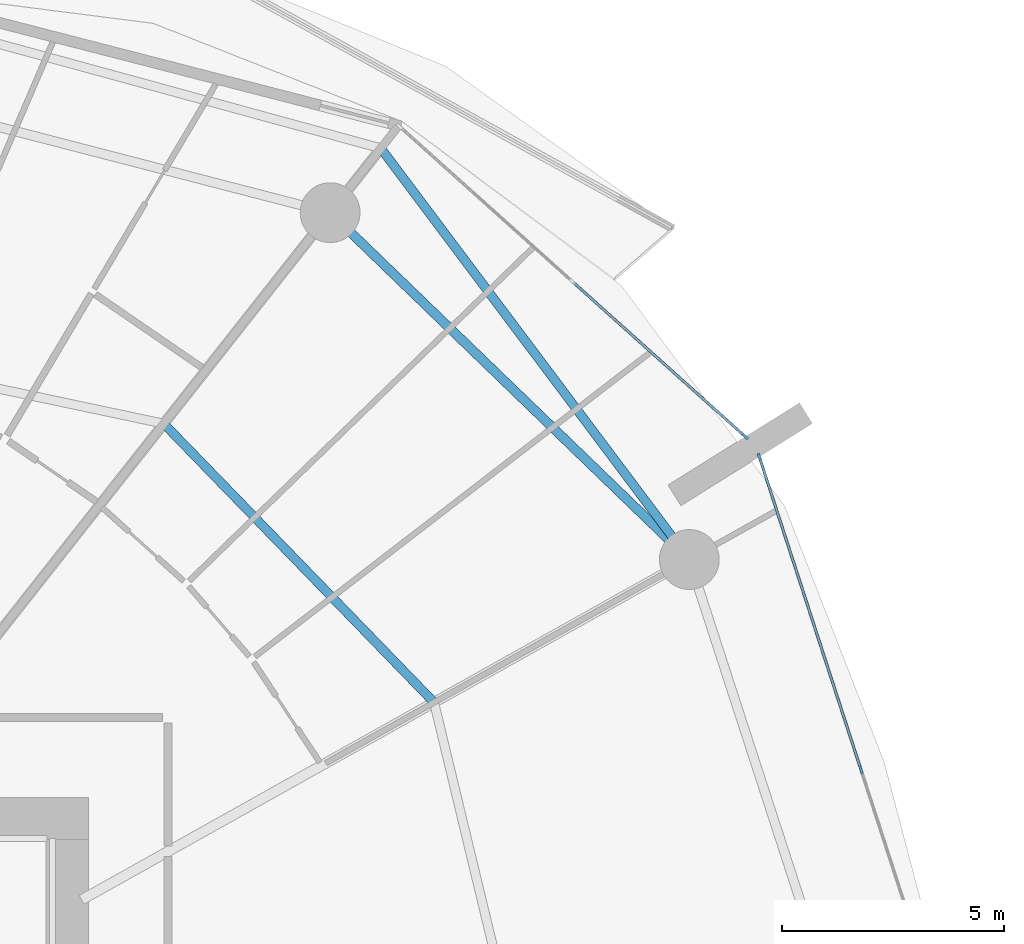
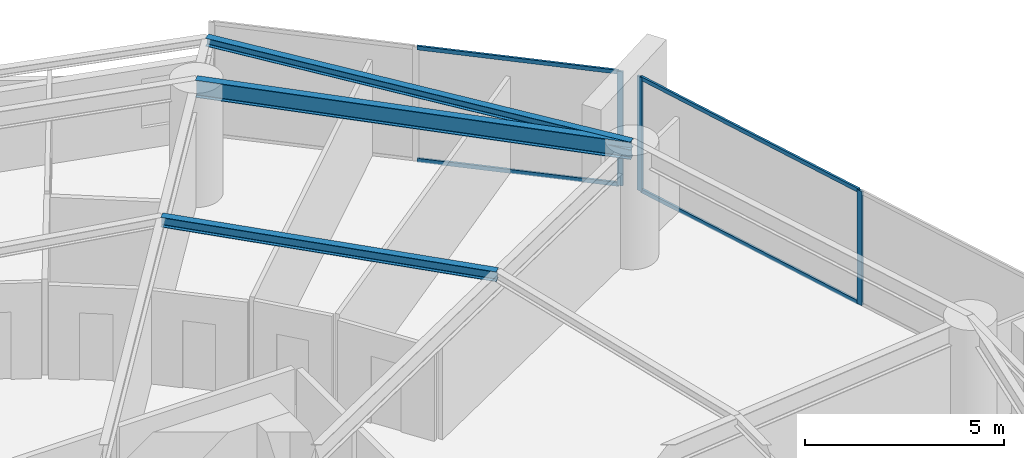
# One storey, part 15 of 30: 7 members, 3 beams, 2 elements without a shape of their own.
"""IFC4 building model written with IfcOpenShell, lengths in metres."""

from ifc_helpers import new_model, si_unit, direction, frame, origin, origin_2d, place, context, subcontext, project, spatial, rectangle, i_section, extrude, material, layer, layer_set, material_profile, profile_set, type_object, element, aggregate, save


model = new_model("IFC4")

# Units and contexts
model_context = context("Model", 3, precision=1e-05, world=origin(), true_north=direction((0.0, 1.0)))
body_context = subcontext(model_context, "Body", "Model", "MODEL_VIEW")
ifc_project = project(units=[si_unit("LENGTHUNIT", "METRE"), si_unit("AREAUNIT", "SQUARE_METRE"), si_unit("VOLUMEUNIT", "CUBIC_METRE"), si_unit("PLANEANGLEUNIT", "RADIAN"), si_unit("MASSUNIT", "GRAM", prefix="KILO")], contexts=[model_context])

# Site, building, storey
site_placement = place(None, origin())
site = spatial("IfcSite", under=ifc_project, at=site_placement, CompositionType="ELEMENT")
building_placement = place(site_placement, origin())
building = spatial("IfcBuilding", under=site, at=building_placement, Name="Kazma Halo Residences", CompositionType="ELEMENT")
storey_placement = place(building_placement, frame((0.0, 0.0, 56.39990234375)))
storey = spatial("IfcBuildingStorey", under=building, at=storey_placement, Name="L13", CompositionType="ELEMENT", Elevation=56.39990234375)

# Beams
ifc_material_1 = material(Name="Steel S355", Category="steel")
ifc_material_profile_1 = material_profile(ifc_material_1, i_section(OverallWidth=0.201904296875, OverallDepth=0.2470703125, WebThickness=0.00732421875, FlangeThickness=0.010986328125, FilletRadius=0.011962890625, at=origin_2d()), Name="W250x49.1")
ifc_profile_set_1 = profile_set([ifc_material_profile_1], Name="Steel S355")
beam_type_1 = type_object("IfcBeamType", Name="BM-BAL-CANT", PredefinedType="BEAM", material=ifc_profile_set_1)
beam_1_placement = place(storey_placement, frame((73.56494140625, 56.317138671875, 3.376708984375), z_axis=(-0.600026935007, 0.799979798037, 0.0), x_axis=(-0.799979798037, -0.600026935007, 0.0)))
element("IfcBeam", 1, at=beam_1_placement, inside=storey, type_object=beam_type_1, Name="L13 wave-balcony lead tie beam 01", PredefinedType="BEAM", context=body_context, shape_type="SweptSolid", body=[
    extrude(i_section(OverallWidth=0.201904296875, OverallDepth=0.2470703125, WebThickness=0.00732421875, FlangeThickness=0.010986328125, FilletRadius=0.011962890625, at=origin_2d()), origin(), (0.0, 0.0, 1.0), 11.601806640625),
])
ifc_material_profile_2 = material_profile(ifc_material_1, i_section(OverallWidth=0.202880859375, OverallDepth=0.302978515625, WebThickness=0.007568359375, FlangeThickness=0.01318359375, FilletRadius=0.013916015625, at=origin_2d()), Name="W310x60")
ifc_profile_set_2 = profile_set([ifc_material_profile_2], Name="Steel S355")
beam_type_2 = type_object("IfcBeamType", Name="BM-SEC-W310A", PredefinedType="JOIST", material=ifc_profile_set_2)
beam_2_placement = place(storey_placement, frame((67.8046875, 53.09130859375, 3.3486328125), z_axis=(-0.696130608567, 0.717915159205, 0.0), x_axis=(-0.717915159205, -0.696130608567, 0.0)))
element("IfcBeam", 2, at=beam_2_placement, inside=storey, type_object=beam_type_2, Name="L13 circumferential floor joist 01", PredefinedType="JOIST", context=body_context, shape_type="SweptSolid", body=[
    extrude(i_section(OverallWidth=0.202880859375, OverallDepth=0.302978515625, WebThickness=0.007568359375, FlangeThickness=0.01318359375, FilletRadius=0.013916015625, at=origin_2d()), origin(), (0.0, 0.0, 1.0), 8.763916015625),
])
ifc_material_profile_3 = material_profile(ifc_material_1, i_section(OverallWidth=0.208984375, OverallDepth=0.532958984375, WebThickness=0.01025390625, FlangeThickness=0.015625, FilletRadius=0.01611328125, at=origin_2d()), Name="W530x92")
ifc_profile_set_3 = profile_set([ifc_material_profile_3], Name="Steel S355")
beam_type_3 = type_object("IfcBeamType", Name="BM-SPN-W530", PredefinedType="BEAM", material=ifc_profile_set_3)
beam_3_placement = place(storey_placement, frame((73.56494140625, 56.317138671875, 3.233642578125), z_axis=(-0.719336506967, 0.694661780829, 0.0), x_axis=(-0.694661780829, -0.719336506967, 0.0)))
element("IfcBeam", 3, at=beam_3_placement, inside=storey, type_object=beam_type_3, Name="L13 perimeter ring beam 01", PredefinedType="BEAM", context=body_context, shape_type="SweptSolid", body=[
    extrude(i_section(OverallWidth=0.208984375, OverallDepth=0.532958984375, WebThickness=0.01025390625, FlangeThickness=0.015625, FilletRadius=0.01611328125, at=origin_2d()), origin(), (0.0, 0.0, 1.0), 11.269775390625),
])

# Curtain wall, member
ifc_material_2 = material(Name="Aluminium AW-6063 T6 and Triple-Silver Low-E Glass", Category="aluminium")
ifc_layer = layer(ifc_material_2, 0.159912109375)
ifc_layer_set = layer_set([ifc_layer], Name="Aluminium AW-6063 T6 and Triple-Silver Low-E Glass")
curtain_wall_type = type_object("IfcCurtainWallType", Name="CW-SYS-2", PredefinedType="NOTDEFINED", material=ifc_layer_set)
curtain_wall_1_placement = place(storey_placement, origin())
curtain_wall_1 = element("IfcCurtainWall", 4, at=curtain_wall_1_placement, inside=storey, type_object=curtain_wall_type, Name="L13 unitised curtain wall B01", PredefinedType="NOTDEFINED")
ifc_material_3 = material(Name="Aluminium AW-6063 T6", Category="aluminium")
ifc_material_profile_4 = material_profile(ifc_material_3, rectangle(XDim=0.06005859375, YDim=0.159912109375, at=origin_2d()), Name="CWM-60x160")
ifc_profile_set_4 = profile_set([ifc_material_profile_4], Name="Aluminium AW-6063 T6")
member_type_1 = type_object("IfcMemberType", Name="CW-SYS-2-MUL", PredefinedType="MULLION", material=ifc_profile_set_4)
member_1_placement = place(storey_placement, frame((74.82666015625, 59.091796875, 0.0), z_axis=(0.0, 0.0, 1.0), x_axis=(-0.667821453854, -0.744321506993, 0.0)))
member_1 = element("IfcMember", 5, at=member_1_placement, type_object=member_type_1, Name="CWS-2 mullion 1", PredefinedType="MULLION", context=body_context, shape_type="SweptSolid", body=[
    extrude(rectangle(XDim=0.06005859375, YDim=0.159912109375, at=origin_2d()), origin(), (0.0, 0.0, 1.0), 3.5),
])

# Curtain wall, members
curtain_wall_2_placement = place(storey_placement, origin())
curtain_wall_2 = element("IfcCurtainWall", 6, at=curtain_wall_2_placement, inside=storey, type_object=curtain_wall_type, Name="L13 unitised curtain wall B16", PredefinedType="NOTDEFINED")
member_2_placement = place(storey_placement, frame((77.44189453125, 51.56640625, 0.0), z_axis=(0.0, 0.0, 1.0), x_axis=(-0.95105652404, -0.309016970539, 0.0)))
member_2 = element("IfcMember", 7, at=member_2_placement, type_object=member_type_1, Name="CWS-2 mullion 2", PredefinedType="MULLION", context=body_context, shape_type="SweptSolid", body=[
    extrude(rectangle(XDim=0.06005859375, YDim=0.159912109375, at=origin_2d()), origin(), (0.0, 0.0, 1.0), 3.5),
])
member_3_placement = place(storey_placement, frame((75.145751953125, 58.63330078125, 0.0), z_axis=(0.0, 0.0, 1.0), x_axis=(-0.95105652404, -0.309016970539, 0.0)))
member_3 = element("IfcMember", 8, at=member_3_placement, type_object=member_type_1, Name="CWS-2 mullion 3", PredefinedType="MULLION", context=body_context, shape_type="SweptSolid", body=[
    extrude(rectangle(XDim=0.06005859375, YDim=0.159912109375, at=origin_2d()), origin(), (0.0, 0.0, 1.0), 3.5),
])

# Member
ifc_material_profile_5 = material_profile(ifc_material_3, rectangle(XDim=0.06005859375, YDim=0.1201171875, at=origin_2d()), Name="CWT-60x120")
ifc_profile_set_5 = profile_set([ifc_material_profile_5], Name="Aluminium AW-6063 T6")
member_type_2 = type_object("IfcMemberType", Name="CW-SYS-2-TRN", PredefinedType="USERDEFINED", material=ifc_profile_set_5)
member_4_placement = place(storey_placement, frame((74.80419921875, 59.11181640625, 0.030029296875), z_axis=(-0.744329408538, 0.66781264707, 0.0), x_axis=(-0.66781264707, -0.744329408538, 0.0)))
member_4 = element("IfcMember", 9, at=member_4_placement, type_object=member_type_2, Name="CWS-2 transom 1.1", ObjectType="TRANSOM", PredefinedType="USERDEFINED", context=body_context, shape_type="SweptSolid", body=[
    extrude(rectangle(XDim=0.06005859375, YDim=0.1201171875, at=origin_2d()), origin(), (0.0, 0.0, 1.0), 5.178466796875),
])

member_5_placement = place(storey_placement, frame((74.80419921875, 59.11181640625, 3.47021484375), z_axis=(-0.744329408538, 0.66781264707, 0.0), x_axis=(-0.66781264707, -0.744329408538, 0.0)))
member_5 = element("IfcMember", 10, at=member_5_placement, type_object=member_type_2, Name="CWS-2 transom 1.2", ObjectType="TRANSOM", PredefinedType="USERDEFINED", context=body_context, shape_type="SweptSolid", body=[
    extrude(rectangle(XDim=0.06005859375, YDim=0.1201171875, at=origin_2d()), origin(), (0.0, 0.0, 1.0), 5.178466796875),
])

aggregate(curtain_wall_1, [member_1, member_4, member_5])

member_6_placement = place(storey_placement, frame((77.4326171875, 51.5947265625, 0.030029296875), z_axis=(-0.309004433966, 0.951060597328, 0.0), x_axis=(-0.951060597328, -0.309004433966, 0.0)))
member_6 = element("IfcMember", 11, at=member_6_placement, type_object=member_type_2, Name="CWS-2 transom 2.1", ObjectType="TRANSOM", PredefinedType="USERDEFINED", context=body_context, shape_type="SweptSolid", body=[
    extrude(rectangle(XDim=0.06005859375, YDim=0.1201171875, at=origin_2d()), origin(), (0.0, 0.0, 1.0), 7.370849609375),
])

member_7_placement = place(storey_placement, frame((77.4326171875, 51.5947265625, 3.47021484375), z_axis=(-0.309004433966, 0.951060597328, 0.0), x_axis=(-0.951060597328, -0.309004433966, 0.0)))
member_7 = element("IfcMember", 12, at=member_7_placement, type_object=member_type_2, Name="CWS-2 transom 2.2", ObjectType="TRANSOM", PredefinedType="USERDEFINED", context=body_context, shape_type="SweptSolid", body=[
    extrude(rectangle(XDim=0.06005859375, YDim=0.1201171875, at=origin_2d()), origin(), (0.0, 0.0, 1.0), 7.370849609375),
])

aggregate(curtain_wall_2, [member_2, member_3, member_6, member_7])

save(model, "model.ifc")
